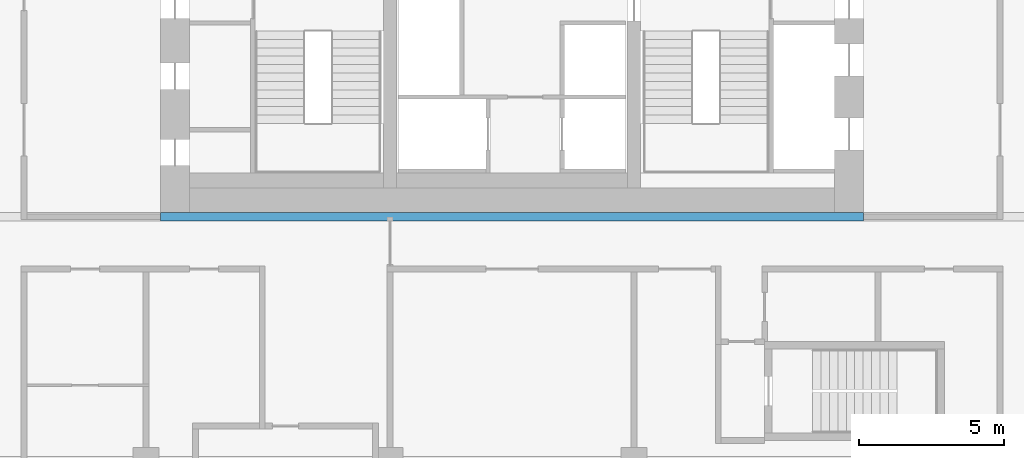
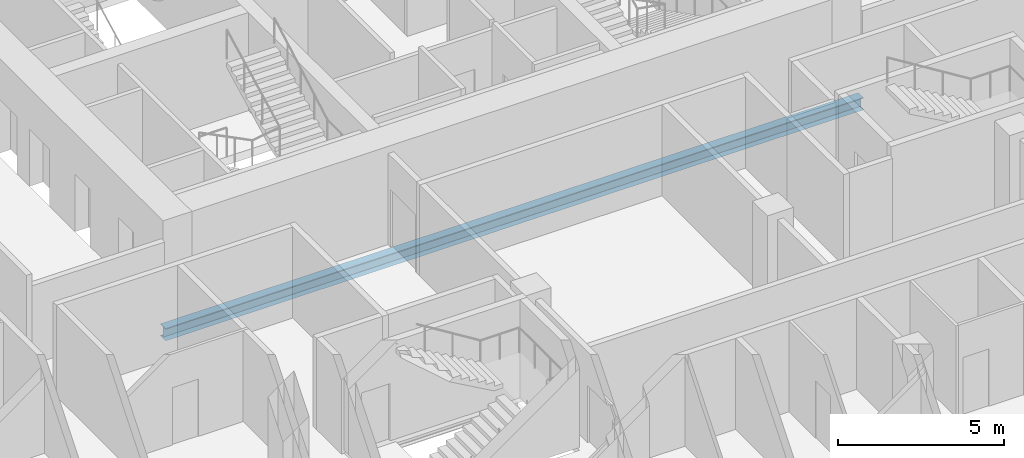
# One storey, part 5 of 23: 1 beam.
"""IFC4 building model written with IfcOpenShell, lengths in metres."""

import ifcopenshell
import ifcopenshell.guid

model = None  # the IFC model being written
_history = None  # IfcOwnerHistory: only IFC2X3 demands one
_inside = {}  # id of a spatial element -> (the spatial element, [elements in it])
_under = {}  # id of a project, library or spatial element -> (it, [spatial elements below it])
_declared = {}  # id of a project -> (the project, [libraries it declares])
_typed = {}  # id of a type object -> (the type object, [elements of that type])
_made_of = {}  # id of a material, layer set ... -> (it, [elements and type objects made of it])


def new_model(schema):
    """Start an empty IFC model of exactly this schema.

    Asked for "IFC4X3", IfcOpenShell would pick the latest addendum, in which some entities
    have other attributes; the version numbers below select the first issue.
    IFC2X3 requires an IfcOwnerHistory on every rooted entity: one is made here for all.
    """
    global model, _history
    if schema == "IFC4X3":
        model = ifcopenshell.file(schema_version=(4, 3, 0, 0))
    else:
        model = ifcopenshell.file(schema=schema)
    _inside.clear()
    _under.clear()
    _declared.clear()
    _typed.clear()
    _made_of.clear()
    _history = None
    if model.schema == "IFC2X3":
        org = make("IfcOrganization", Name="unknown")
        user = make(
            "IfcPersonAndOrganization",
            ThePerson=make("IfcPerson", FamilyName="unknown"),
            TheOrganization=org,
        )
        app = make(
            "IfcApplication",
            ApplicationDeveloper=org,
            Version="unknown",
            ApplicationFullName="unknown",
            ApplicationIdentifier="unknown",
        )
        _history = make(
            "IfcOwnerHistory",
            OwningUser=user,
            OwningApplication=app,
            ChangeAction="ADDED",
            CreationDate=0,
        )
    return model


def make(cls, **values):
    """One entity of the class cls with the attributes given. An attribute that is None is left unset."""
    return model.create_entity(
        cls, **{name: value for name, value in values.items() if value is not None}
    )


def rooted(cls, **values):
    """An entity with a GlobalId (a new one), such as an element, a storey or a relation."""
    return make(cls, GlobalId=ifcopenshell.guid.new(), OwnerHistory=_history, **values)


def si_unit(unit_type, name, prefix=None):
    """IfcSIUnit, for example si_unit("LENGTHUNIT", "METRE", prefix="MILLI")."""
    return make("IfcSIUnit", UnitType=unit_type, Prefix=prefix, Name=name)


def assignment(units):
    """IfcUnitAssignment: the units of a project."""
    return None if units is None else make("IfcUnitAssignment", Units=units)


def point(xyz):
    """IfcCartesianPoint."""
    return None if xyz is None else make("IfcCartesianPoint", Coordinates=xyz)


def direction(xyz):
    """IfcDirection."""
    return None if xyz is None else make("IfcDirection", DirectionRatios=xyz)


def frame(location, z_axis=None, x_axis=None):
    """IfcAxis2Placement3D, a coordinate frame: its origin and axes. An axis left out is left unset."""
    return make(
        "IfcAxis2Placement3D",
        Location=point(location),
        Axis=direction(z_axis),
        RefDirection=direction(x_axis),
    )


def frame_2d(location, x_axis=None):
    """IfcAxis2Placement2D, a coordinate frame in the plane: its origin and x axis."""
    return make(
        "IfcAxis2Placement2D", Location=point(location), RefDirection=direction(x_axis)
    )


def origin():
    """The frame at (0, 0, 0) with its axes left unset."""
    return frame((0.0, 0.0, 0.0))


def origin_2d():
    """The frame at (0, 0) in the plane with its x axis left unset."""
    return frame_2d((0.0, 0.0))


def place(relative_to, where):
    """IfcLocalPlacement: puts the frame where relative to a parent placement (None: the world)."""
    return make(
        "IfcLocalPlacement", PlacementRelTo=relative_to, RelativePlacement=where
    )


def context(
    kind, dimensions, precision=None, world=None, true_north=None, identifier=None
):
    """IfcGeometricRepresentationContext, for example the 3D "Model" context."""
    return make(
        "IfcGeometricRepresentationContext",
        ContextIdentifier=identifier,
        ContextType=kind,
        CoordinateSpaceDimension=dimensions,
        Precision=precision,
        WorldCoordinateSystem=world,
        TrueNorth=true_north,
    )


def subcontext(parent, identifier, kind, view, scale=None):
    """IfcGeometricRepresentationSubContext, for example "Body" below "Model"."""
    return make(
        "IfcGeometricRepresentationSubContext",
        ContextIdentifier=identifier,
        ContextType=kind,
        ParentContext=parent,
        TargetScale=scale,
        TargetView=view,
    )


def project(units=None, contexts=None):
    """IfcProject with its units and contexts."""
    return rooted(
        "IfcProject",
        Name="project",
        RepresentationContexts=contexts,
        UnitsInContext=assignment(units),
    )


def spatial(cls, under=None, at=None, **own):
    """A site, building, storey or space (cls), placed at a placement, below another one or the project."""
    s = rooted(cls, ObjectPlacement=at, **own)
    if under is not None:
        _under.setdefault(under.id(), (under, []))[1].append(s)
    return s


def profile(cls, at=None, kind="AREA", **sizes):
    """A parametric profile (cls). Its sizes go by their IFC names, for example OverallWidth=200.0."""
    return make(cls, ProfileType=kind, Position=at, **sizes)


def i_section(**sizes):
    """IfcIShapeProfileDef."""
    return profile("IfcIShapeProfileDef", **sizes)


def extrude(swept, where, along, depth):
    """IfcExtrudedAreaSolid: the profile swept, set in the frame where, extruded along a direction by depth."""
    return make(
        "IfcExtrudedAreaSolid",
        SweptArea=swept,
        Position=where,
        ExtrudedDirection=direction(along),
        Depth=depth,
    )


def shape(context_of_items, identifier, shape_type, items):
    """IfcShapeRepresentation: the items that make up one representation, for example the "Body"."""
    return make(
        "IfcShapeRepresentation",
        ContextOfItems=context_of_items,
        RepresentationIdentifier=identifier,
        RepresentationType=shape_type,
        Items=items,
    )


def material(Name=None, Category=None):
    """IfcMaterial."""
    return make("IfcMaterial", Name=Name, Category=Category)


def material_profile(
    of_material, cross_section, Name=None, Category=None, Priority=None
):
    """IfcMaterialProfile: a cross section and its material."""
    return make(
        "IfcMaterialProfile",
        Name=Name,
        Material=of_material,
        Profile=cross_section,
        Priority=Priority,
        Category=Category,
    )


def profile_set(profiles, Name=None, composite=None):
    """IfcMaterialProfileSet."""
    return make(
        "IfcMaterialProfileSet",
        Name=Name,
        MaterialProfiles=profiles,
        CompositeProfile=composite,
    )


def made_of(thing, what):
    """Note that an element or type object is made of a material, layer set ...; save() writes the relation."""
    if what is not None:
        _made_of.setdefault(what.id(), (what, []))[1].append(thing)
    return thing


def type_object(cls, material=None, **own):
    """A type object (cls), such as IfcWallType, which elements share."""
    return made_of(rooted(cls, **own), material)


def element(
    cls,
    number,
    at=None,
    inside=None,
    cuts=None,
    type_object=None,
    material=None,
    context=None,
    identifier="Body",
    shape_type=None,
    held_by="IfcProductDefinitionShape",
    body=None,
    shapes=None,
    **own,
):
    """One element of the class cls, such as IfcWall. Its Tag is "e" and its number.

    at: its placement. inside: the storey or other place that contains it. cuts: it is an
    opening in that element (IfcRelVoidsElement). A single representation is given by context,
    identifier, shape_type and body (its items); several are given by shapes. held_by: the class
    of the entity that holds the representations. save() writes the other relations.
    """
    e = rooted(cls, Tag="e%d" % number, ObjectPlacement=at, **own)
    if body is not None:
        shapes = [shape(context, identifier, shape_type, body)]
    if shapes is not None:
        e.Representation = make(held_by, Representations=shapes)
    if inside is not None:
        _inside.setdefault(inside.id(), (inside, []))[1].append(e)
    if cuts is not None:
        rooted(
            "IfcRelVoidsElement", RelatingBuildingElement=cuts, RelatedOpeningElement=e
        )
    if type_object is not None:
        _typed.setdefault(type_object.id(), (type_object, []))[1].append(e)
    return made_of(e, material)


def aggregate(whole, parts):
    """IfcRelAggregates: a whole, such as a stair, and the parts it consists of."""
    return rooted("IfcRelAggregates", RelatingObject=whole, RelatedObjects=parts)


def save(model, path):
    """Write the relations noted so far, then the file.

    IfcRelAggregates (storeys below a building ...), IfcRelContainedInSpatialStructure (elements
    in a storey), IfcRelDefinesByType, IfcRelAssociatesMaterial and IfcRelDeclares: one each for
    every whole, place, type object, material and project.
    """
    for whole, parts in _under.values():
        aggregate(whole, parts)
    for where, things in _inside.values():
        rooted(
            "IfcRelContainedInSpatialStructure",
            RelatedElements=things,
            RelatingStructure=where,
        )
    for kind, things in _typed.values():
        rooted("IfcRelDefinesByType", RelatedObjects=things, RelatingType=kind)
    for what, things in _made_of.values():
        rooted("IfcRelAssociatesMaterial", RelatedObjects=things, RelatingMaterial=what)
    for by, libraries in _declared.values():
        rooted("IfcRelDeclares", RelatingContext=by, RelatedDefinitions=libraries)
    model.write(path)


model = new_model("IFC4")

# Units and contexts
model_context = context("Model", 3, precision=1e-05, world=origin(), true_north=direction((0.0, 1.0)))
body_context = subcontext(model_context, "Body", "Model", "MODEL_VIEW")
ifc_project = project(units=[si_unit("LENGTHUNIT", "METRE"), si_unit("AREAUNIT", "SQUARE_METRE"), si_unit("VOLUMEUNIT", "CUBIC_METRE"), si_unit("PLANEANGLEUNIT", "RADIAN"), si_unit("MASSUNIT", "GRAM", prefix="KILO")], contexts=[model_context])

# Site, building, storey
site_placement = place(None, origin())
site = spatial("IfcSite", under=ifc_project, at=site_placement, CompositionType="ELEMENT")
building_placement = place(site_placement, origin())
building = spatial("IfcBuilding", under=site, at=building_placement, Name="Marenta Gate Hotel Tower", CompositionType="ELEMENT")
storey_placement = place(building_placement, frame((0.0, 0.0, 112.10009765625)))
storey = spatial("IfcBuildingStorey", under=building, at=storey_placement, Name="L24", CompositionType="ELEMENT", Elevation=112.10009765625)

# Beam
ifc_material = material(Name="Steel S355", Category="steel")
ifc_material_profile = material_profile(ifc_material, i_section(OverallWidth=0.300048828125, OverallDepth=0.449951171875, WebThickness=0.013916015625, FlangeThickness=0.02587890625, FilletRadius=0.027099609375, at=origin_2d()), Name="HEB 450")
ifc_profile_set = profile_set([ifc_material_profile], Name="Steel S355")
beam_type = type_object("IfcBeamType", Name="Girder HEB 450", PredefinedType="BEAM", material=ifc_profile_set)
beam_placement = place(storey_placement, frame((-12.10009765625, 0.0, -0.485107421875), z_axis=(1.0, 0.0, 0.0), x_axis=(0.0, 1.0, 0.0)))
element("IfcBeam", 1, at=beam_placement, inside=storey, type_object=beam_type, Name="L24-GD-17", PredefinedType="BEAM", context=body_context, shape_type="SweptSolid", body=[
    extrude(i_section(OverallWidth=0.300048828125, OverallDepth=0.449951171875, WebThickness=0.013916015625, FlangeThickness=0.02587890625, FilletRadius=0.027099609375, at=origin_2d()), origin(), (0.0, 0.0, 1.0), 24.2001953125),
])

save(model, "model.ifc")
